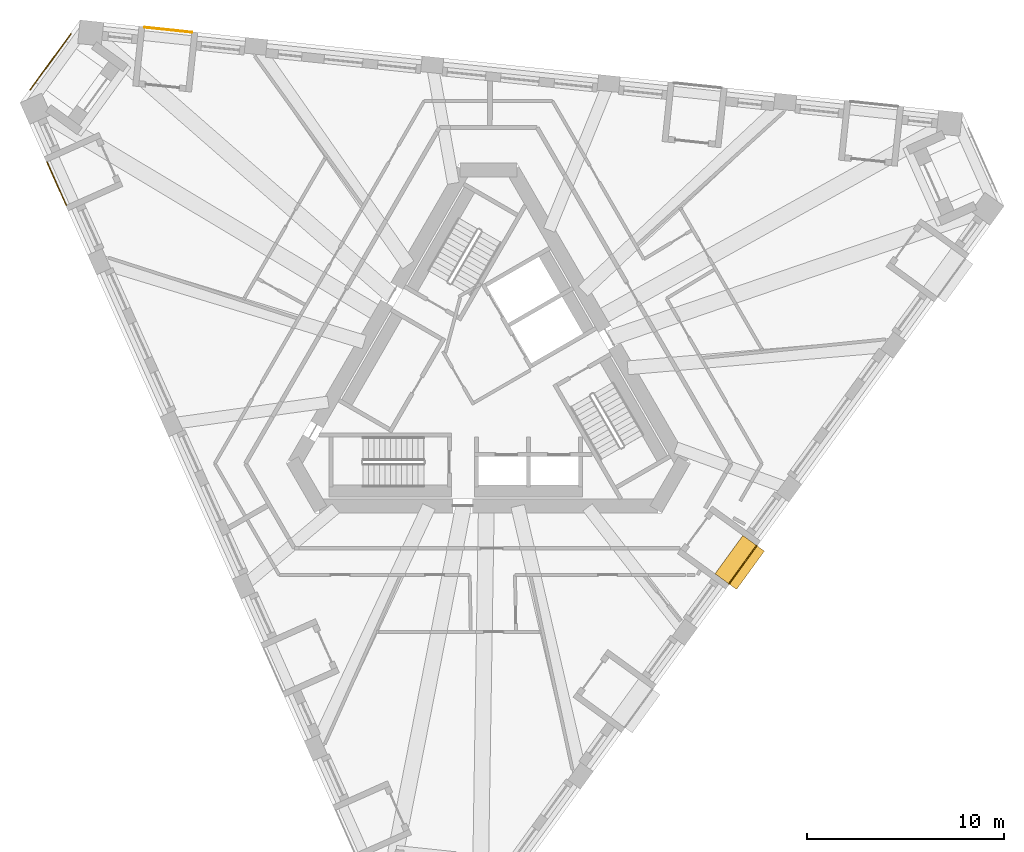
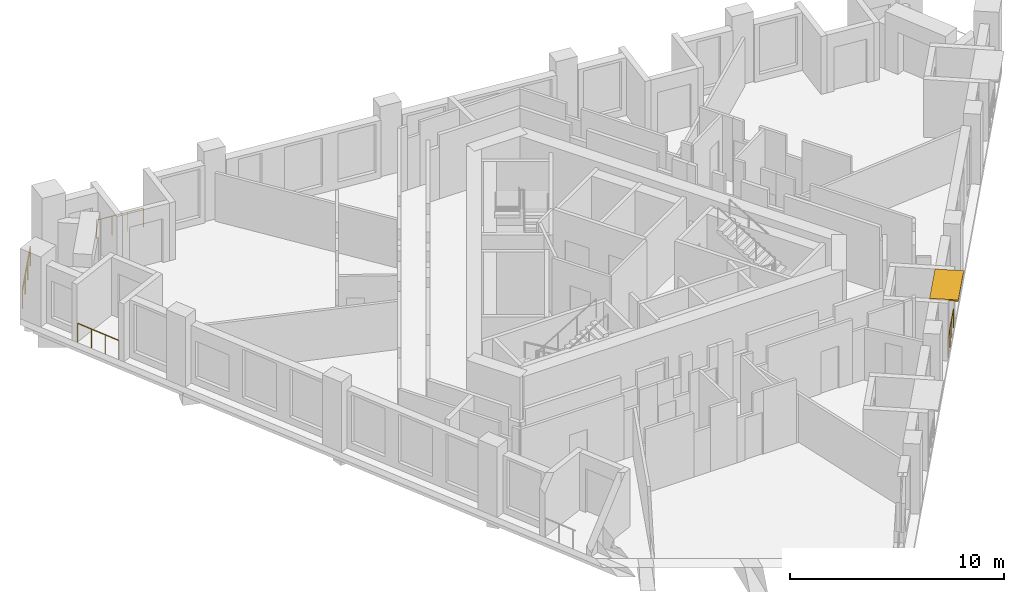
# One storey, part 10 of 11: 4 railings, 1 shading device.
"""IFC4 building model written with IfcOpenShell, lengths in metres."""

from ifc_helpers import new_model, si_unit, direction, frame, origin, origin_2d, place, context, subcontext, project, spatial, rectangle, circle, extrude, material, layer, layer_set, type_object, element, save


model = new_model("IFC4")

# Units and contexts
model_context = context("Model", 3, precision=1e-05, world=origin(), true_north=direction((0.0, 1.0)))
body_context = subcontext(model_context, "Body", "Model", "MODEL_VIEW")
ifc_project = project(units=[si_unit("LENGTHUNIT", "METRE"), si_unit("AREAUNIT", "SQUARE_METRE"), si_unit("VOLUMEUNIT", "CUBIC_METRE"), si_unit("PLANEANGLEUNIT", "RADIAN"), si_unit("MASSUNIT", "GRAM", prefix="KILO")], contexts=[model_context])

# Site, building, storey
site_placement = place(None, origin())
site = spatial("IfcSite", under=ifc_project, at=site_placement, CompositionType="ELEMENT")
building_placement = place(site_placement, origin())
building = spatial("IfcBuilding", under=site, at=building_placement, Name="Tramontana Tower", CompositionType="ELEMENT")
storey_placement = place(building_placement, frame((0.0, 0.0, 245.199951171875)))
storey = spatial("IfcBuildingStorey", under=building, at=storey_placement, Name="L57", CompositionType="ELEMENT", Elevation=245.199951171875)

# Railings
ifc_material_1 = material(Name="Laminated glass balustrade", Category="glass")
railing_type = type_object("IfcRailingType", Name="GD1 Loggia glass balustrade 1100", PredefinedType="BALUSTRADE", material=ifc_material_1)
railing_1_placement = place(storey_placement, frame((-22.404541015625, 11.0576171875, 0.0)))
element("IfcRailing", 1, at=railing_1_placement, inside=storey, type_object=railing_type, Name="Loggia balustrade L57 G6S0.1", PredefinedType="BALUSTRADE", context=body_context, shape_type="SweptSolid", body=[
    extrude(circle(Radius=0.02392578125, at=origin_2d()), frame((0.0, 0.0, 1.076171875), z_axis=(0.406723017018, -0.913551524232, 0.0), x_axis=(0.913551524232, 0.406723017018, 0.0)), (0.0, 0.0, 1.0), 2.40234375),
    extrude(circle(Radius=0.02099609375, at=origin_2d()), origin(), (0.0, 0.0, 1.0), 1.052001953125),
    extrude(circle(Radius=0.02099609375, at=origin_2d()), frame((0.32568359375, -0.7314453125, 0.0)), (0.0, 0.0, 1.0), 1.052001953125),
    extrude(circle(Radius=0.02099609375, at=origin_2d()), frame((0.6513671875, -1.463134765625, 0.0)), (0.0, 0.0, 1.0), 1.052001953125),
    extrude(circle(Radius=0.02099609375, at=origin_2d()), frame((0.97705078125, -2.194580078125, 0.0)), (0.0, 0.0, 1.0), 1.052001953125),
])
railing_2_placement = place(storey_placement, frame((12.214111328125, -10.358642578125, 0.0)))
element("IfcRailing", 2, at=railing_2_placement, inside=storey, type_object=railing_type, Name="Loggia balustrade L57 G6S1.7", PredefinedType="BALUSTRADE", context=body_context, shape_type="SweptSolid", body=[
    extrude(circle(Radius=0.02392578125, at=origin_2d()), frame((0.0, 0.0, 1.076171875), z_axis=(0.58776672416, 0.809030455527, 0.0), x_axis=(-0.809030455527, 0.58776672416, 0.0)), (0.0, 0.0, 1.0), 2.402099609375),
    extrude(circle(Radius=0.02099609375, at=origin_2d()), origin(), (0.0, 0.0, 1.0), 1.052001953125),
    extrude(circle(Radius=0.02099609375, at=origin_2d()), frame((0.470703125, 0.647705078125, 0.0)), (0.0, 0.0, 1.0), 1.052001953125),
    extrude(circle(Radius=0.02099609375, at=origin_2d()), frame((0.941162109375, 1.295654296875, 0.0)), (0.0, 0.0, 1.0), 1.052001953125),
    extrude(circle(Radius=0.02099609375, at=origin_2d()), frame((1.411865234375, 1.943359375, 0.0)), (0.0, 0.0, 1.0), 1.052001953125),
])
railing_3_placement = place(storey_placement, frame((-15.05078125, 17.639892578125, 0.0)))
element("IfcRailing", 3, at=railing_3_placement, inside=storey, type_object=railing_type, Name="Loggia balustrade L57 G6S2.13", PredefinedType="BALUSTRADE", context=body_context, shape_type="SweptSolid", body=[
    extrude(circle(Radius=0.02392578125, at=origin_2d()), frame((0.0, 0.0, 1.076171875), z_axis=(-0.994527704951, 0.104473173992, 0.0), x_axis=(-0.104473173992, -0.994527704951, 0.0)), (0.0, 0.0, 1.0), 2.40234375),
    extrude(circle(Radius=0.02099609375, at=origin_2d()), origin(), (0.0, 0.0, 1.0), 1.052001953125),
    extrude(circle(Radius=0.02099609375, at=origin_2d()), frame((-0.79638671875, 0.083740234375, 0.0)), (0.0, 0.0, 1.0), 1.052001953125),
    extrude(circle(Radius=0.02099609375, at=origin_2d()), frame((-1.5927734375, 0.167236328125, 0.0)), (0.0, 0.0, 1.0), 1.052001953125),
    extrude(circle(Radius=0.02099609375, at=origin_2d()), frame((-2.38916015625, 0.2509765625, 0.0)), (0.0, 0.0, 1.0), 1.052001953125),
])
railing_4_placement = place(storey_placement, frame((-23.25244140625, 14.730712890625, 0.0)))
element("IfcRailing", 4, at=railing_4_placement, inside=storey, type_object=railing_type, Name="Corner loggia balustrade L57 K60", PredefinedType="BALUSTRADE", context=body_context, shape_type="SweptSolid", body=[
    extrude(circle(Radius=0.02392578125, at=origin_2d()), frame((0.0, 0.0, 1.076171875), z_axis=(0.587810807352, 0.808998426921, 0.0), x_axis=(-0.808998426921, 0.587810807352, 0.0)), (0.0, 0.0, 1.0), 3.5),
    extrude(circle(Radius=0.02099609375, at=origin_2d()), origin(), (0.0, 0.0, 1.0), 1.052001953125),
    extrude(circle(Radius=0.02099609375, at=origin_2d()), frame((0.685791015625, 0.94384765625, 0.0)), (0.0, 0.0, 1.0), 1.052001953125),
    extrude(circle(Radius=0.02099609375, at=origin_2d()), frame((1.37158203125, 1.8876953125, 0.0)), (0.0, 0.0, 1.0), 1.052001953125),
    extrude(circle(Radius=0.02099609375, at=origin_2d()), frame((2.057373046875, 2.83154296875, 0.0)), (0.0, 0.0, 1.0), 1.052001953125),
])

# Shading device
ifc_material_2 = material(Name="Precast concrete 60 MPa", Category="concrete")
ifc_layer = layer(ifc_material_2, 0.080078125)
ifc_layer_set = layer_set([ifc_layer], Name="SS3 Stone sunshade blade 80")
shading_device_type = type_object("IfcShadingDeviceType", Name="SS3 Stone sunshade blade 80", PredefinedType="USERDEFINED", material=ifc_layer_set)
shading_device_placement = place(storey_placement, frame((12.76220703125, -9.272216796875, 3.219970703125), z_axis=(0.0, 0.0, 1.0), x_axis=(0.587785252292, 0.809016994375, 0.0)))
element("IfcShadingDevice", 5, at=shading_device_placement, inside=storey, type_object=shading_device_type, Name="Sunshade L57 G6S1.7", ObjectType="SUNSHADE", PredefinedType="USERDEFINED", context=body_context, shape_type="SweptSolid", body=[
    extrude(rectangle(XDim=2.402099609375, YDim=1.35009765625, at=origin_2d()), origin(), (0.0, 0.0, 1.0), 0.080078125),
])

save(model, "model.ifc")
